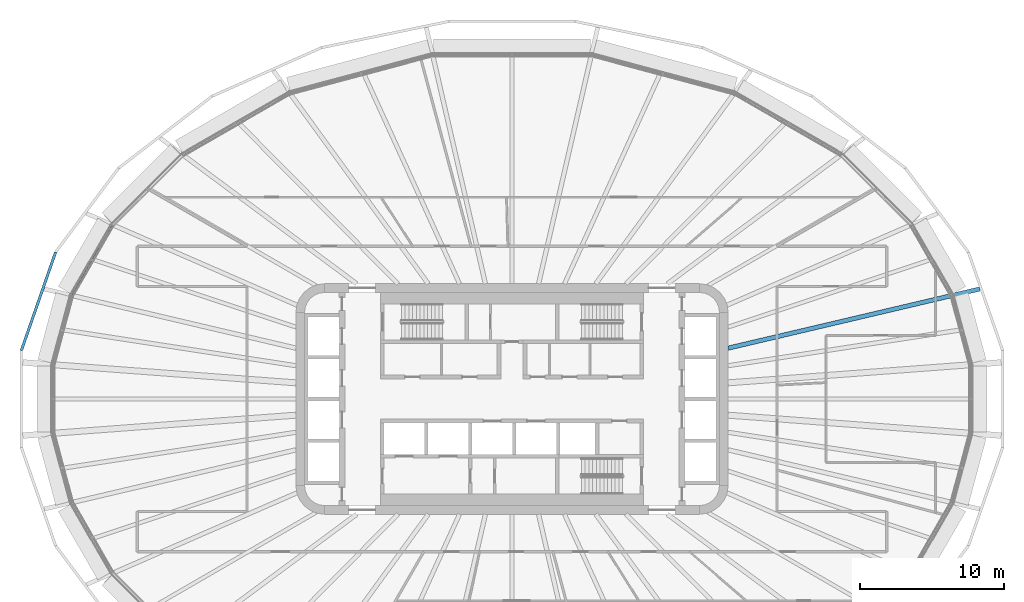
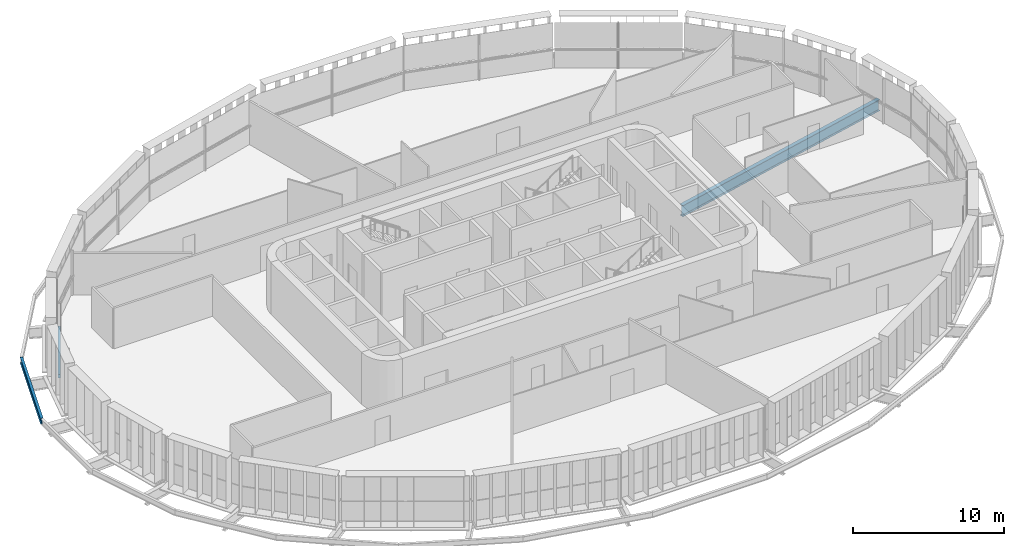
# One storey, part 6 of 25: 3 beams.
"""IFC4 building model written with IfcOpenShell, lengths in metres."""

import ifcopenshell
import ifcopenshell.guid

model = None  # the IFC model being written
_history = None  # IfcOwnerHistory: only IFC2X3 demands one
_inside = {}  # id of a spatial element -> (the spatial element, [elements in it])
_under = {}  # id of a project, library or spatial element -> (it, [spatial elements below it])
_declared = {}  # id of a project -> (the project, [libraries it declares])
_typed = {}  # id of a type object -> (the type object, [elements of that type])
_made_of = {}  # id of a material, layer set ... -> (it, [elements and type objects made of it])


def new_model(schema):
    """Start an empty IFC model of exactly this schema.

    Asked for "IFC4X3", IfcOpenShell would pick the latest addendum, in which some entities
    have other attributes; the version numbers below select the first issue.
    IFC2X3 requires an IfcOwnerHistory on every rooted entity: one is made here for all.
    """
    global model, _history
    if schema == "IFC4X3":
        model = ifcopenshell.file(schema_version=(4, 3, 0, 0))
    else:
        model = ifcopenshell.file(schema=schema)
    _inside.clear()
    _under.clear()
    _declared.clear()
    _typed.clear()
    _made_of.clear()
    _history = None
    if model.schema == "IFC2X3":
        org = make("IfcOrganization", Name="unknown")
        user = make(
            "IfcPersonAndOrganization",
            ThePerson=make("IfcPerson", FamilyName="unknown"),
            TheOrganization=org,
        )
        app = make(
            "IfcApplication",
            ApplicationDeveloper=org,
            Version="unknown",
            ApplicationFullName="unknown",
            ApplicationIdentifier="unknown",
        )
        _history = make(
            "IfcOwnerHistory",
            OwningUser=user,
            OwningApplication=app,
            ChangeAction="ADDED",
            CreationDate=0,
        )
    return model


def make(cls, **values):
    """One entity of the class cls with the attributes given. An attribute that is None is left unset."""
    return model.create_entity(
        cls, **{name: value for name, value in values.items() if value is not None}
    )


def rooted(cls, **values):
    """An entity with a GlobalId (a new one), such as an element, a storey or a relation."""
    return make(cls, GlobalId=ifcopenshell.guid.new(), OwnerHistory=_history, **values)


def si_unit(unit_type, name, prefix=None):
    """IfcSIUnit, for example si_unit("LENGTHUNIT", "METRE", prefix="MILLI")."""
    return make("IfcSIUnit", UnitType=unit_type, Prefix=prefix, Name=name)


def assignment(units):
    """IfcUnitAssignment: the units of a project."""
    return None if units is None else make("IfcUnitAssignment", Units=units)


def point(xyz):
    """IfcCartesianPoint."""
    return None if xyz is None else make("IfcCartesianPoint", Coordinates=xyz)


def direction(xyz):
    """IfcDirection."""
    return None if xyz is None else make("IfcDirection", DirectionRatios=xyz)


def frame(location, z_axis=None, x_axis=None):
    """IfcAxis2Placement3D, a coordinate frame: its origin and axes. An axis left out is left unset."""
    return make(
        "IfcAxis2Placement3D",
        Location=point(location),
        Axis=direction(z_axis),
        RefDirection=direction(x_axis),
    )


def frame_2d(location, x_axis=None):
    """IfcAxis2Placement2D, a coordinate frame in the plane: its origin and x axis."""
    return make(
        "IfcAxis2Placement2D", Location=point(location), RefDirection=direction(x_axis)
    )


def origin():
    """The frame at (0, 0, 0) with its axes left unset."""
    return frame((0.0, 0.0, 0.0))


def origin_2d():
    """The frame at (0, 0) in the plane with its x axis left unset."""
    return frame_2d((0.0, 0.0))


def place(relative_to, where):
    """IfcLocalPlacement: puts the frame where relative to a parent placement (None: the world)."""
    return make(
        "IfcLocalPlacement", PlacementRelTo=relative_to, RelativePlacement=where
    )


def context(
    kind, dimensions, precision=None, world=None, true_north=None, identifier=None
):
    """IfcGeometricRepresentationContext, for example the 3D "Model" context."""
    return make(
        "IfcGeometricRepresentationContext",
        ContextIdentifier=identifier,
        ContextType=kind,
        CoordinateSpaceDimension=dimensions,
        Precision=precision,
        WorldCoordinateSystem=world,
        TrueNorth=true_north,
    )


def subcontext(parent, identifier, kind, view, scale=None):
    """IfcGeometricRepresentationSubContext, for example "Body" below "Model"."""
    return make(
        "IfcGeometricRepresentationSubContext",
        ContextIdentifier=identifier,
        ContextType=kind,
        ParentContext=parent,
        TargetScale=scale,
        TargetView=view,
    )


def project(units=None, contexts=None):
    """IfcProject with its units and contexts."""
    return rooted(
        "IfcProject",
        Name="project",
        RepresentationContexts=contexts,
        UnitsInContext=assignment(units),
    )


def spatial(cls, under=None, at=None, **own):
    """A site, building, storey or space (cls), placed at a placement, below another one or the project."""
    s = rooted(cls, ObjectPlacement=at, **own)
    if under is not None:
        _under.setdefault(under.id(), (under, []))[1].append(s)
    return s


def profile(cls, at=None, kind="AREA", **sizes):
    """A parametric profile (cls). Its sizes go by their IFC names, for example OverallWidth=200.0."""
    return make(cls, ProfileType=kind, Position=at, **sizes)


def i_section(**sizes):
    """IfcIShapeProfileDef."""
    return profile("IfcIShapeProfileDef", **sizes)


def extrude(swept, where, along, depth):
    """IfcExtrudedAreaSolid: the profile swept, set in the frame where, extruded along a direction by depth."""
    return make(
        "IfcExtrudedAreaSolid",
        SweptArea=swept,
        Position=where,
        ExtrudedDirection=direction(along),
        Depth=depth,
    )


def shape(context_of_items, identifier, shape_type, items):
    """IfcShapeRepresentation: the items that make up one representation, for example the "Body"."""
    return make(
        "IfcShapeRepresentation",
        ContextOfItems=context_of_items,
        RepresentationIdentifier=identifier,
        RepresentationType=shape_type,
        Items=items,
    )


def material(Name=None, Category=None):
    """IfcMaterial."""
    return make("IfcMaterial", Name=Name, Category=Category)


def material_profile(
    of_material, cross_section, Name=None, Category=None, Priority=None
):
    """IfcMaterialProfile: a cross section and its material."""
    return make(
        "IfcMaterialProfile",
        Name=Name,
        Material=of_material,
        Profile=cross_section,
        Priority=Priority,
        Category=Category,
    )


def profile_set(profiles, Name=None, composite=None):
    """IfcMaterialProfileSet."""
    return make(
        "IfcMaterialProfileSet",
        Name=Name,
        MaterialProfiles=profiles,
        CompositeProfile=composite,
    )


def made_of(thing, what):
    """Note that an element or type object is made of a material, layer set ...; save() writes the relation."""
    if what is not None:
        _made_of.setdefault(what.id(), (what, []))[1].append(thing)
    return thing


def type_object(cls, material=None, **own):
    """A type object (cls), such as IfcWallType, which elements share."""
    return made_of(rooted(cls, **own), material)


def element(
    cls,
    number,
    at=None,
    inside=None,
    cuts=None,
    type_object=None,
    material=None,
    context=None,
    identifier="Body",
    shape_type=None,
    held_by="IfcProductDefinitionShape",
    body=None,
    shapes=None,
    **own,
):
    """One element of the class cls, such as IfcWall. Its Tag is "e" and its number.

    at: its placement. inside: the storey or other place that contains it. cuts: it is an
    opening in that element (IfcRelVoidsElement). A single representation is given by context,
    identifier, shape_type and body (its items); several are given by shapes. held_by: the class
    of the entity that holds the representations. save() writes the other relations.
    """
    e = rooted(cls, Tag="e%d" % number, ObjectPlacement=at, **own)
    if body is not None:
        shapes = [shape(context, identifier, shape_type, body)]
    if shapes is not None:
        e.Representation = make(held_by, Representations=shapes)
    if inside is not None:
        _inside.setdefault(inside.id(), (inside, []))[1].append(e)
    if cuts is not None:
        rooted(
            "IfcRelVoidsElement", RelatingBuildingElement=cuts, RelatedOpeningElement=e
        )
    if type_object is not None:
        _typed.setdefault(type_object.id(), (type_object, []))[1].append(e)
    return made_of(e, material)


def aggregate(whole, parts):
    """IfcRelAggregates: a whole, such as a stair, and the parts it consists of."""
    return rooted("IfcRelAggregates", RelatingObject=whole, RelatedObjects=parts)


def save(model, path):
    """Write the relations noted so far, then the file.

    IfcRelAggregates (storeys below a building ...), IfcRelContainedInSpatialStructure (elements
    in a storey), IfcRelDefinesByType, IfcRelAssociatesMaterial and IfcRelDeclares: one each for
    every whole, place, type object, material and project.
    """
    for whole, parts in _under.values():
        aggregate(whole, parts)
    for where, things in _inside.values():
        rooted(
            "IfcRelContainedInSpatialStructure",
            RelatedElements=things,
            RelatingStructure=where,
        )
    for kind, things in _typed.values():
        rooted("IfcRelDefinesByType", RelatedObjects=things, RelatingType=kind)
    for what, things in _made_of.values():
        rooted("IfcRelAssociatesMaterial", RelatedObjects=things, RelatingMaterial=what)
    for by, libraries in _declared.values():
        rooted("IfcRelDeclares", RelatingContext=by, RelatedDefinitions=libraries)
    model.write(path)


model = new_model("IFC4")

# Units and contexts
model_context = context("Model", 3, precision=1e-05, world=origin(), true_north=direction((0.0, 1.0)))
body_context = subcontext(model_context, "Body", "Model", "MODEL_VIEW")
ifc_project = project(units=[si_unit("LENGTHUNIT", "METRE"), si_unit("AREAUNIT", "SQUARE_METRE"), si_unit("VOLUMEUNIT", "CUBIC_METRE"), si_unit("PLANEANGLEUNIT", "RADIAN"), si_unit("MASSUNIT", "GRAM", prefix="KILO")], contexts=[model_context])

# Site, building, storey
site_placement = place(None, origin())
site = spatial("IfcSite", under=ifc_project, at=site_placement, CompositionType="ELEMENT")
building_placement = place(site_placement, origin())
building = spatial("IfcBuilding", under=site, at=building_placement, Name="Sahrelin Media Tower", CompositionType="ELEMENT")
storey_placement = place(building_placement, frame((0.0, 0.0, 106.199951171875)))
storey = spatial("IfcBuildingStorey", under=building, at=storey_placement, Name="L20", CompositionType="ELEMENT", Elevation=106.199951171875)

# Beams
ifc_material = material(Name="Steel S355", Category="steel")
ifc_material_profile_1 = material_profile(ifc_material, i_section(OverallWidth=0.1650390625, OverallDepth=0.303466796875, WebThickness=0.006103515625, FlangeThickness=0.01025390625, FilletRadius=0.0087890625, at=origin_2d()), Name="UB 305x165x40")
ifc_profile_set_1 = profile_set([ifc_material_profile_1], Name="Steel S355")
beam_type_1 = type_object("IfcBeamType", Name="Edge beam EB2", PredefinedType="BEAM", material=ifc_profile_set_1)
beam_1_placement = place(storey_placement, frame((-30.5048828125, 7.1650390625, -0.3017578125), z_axis=(0.500017404508, 0.866015355054, 0.0), x_axis=(-0.866015355054, 0.500017404508, 0.0)))
element("IfcBeam", 1, at=beam_1_placement, inside=storey, type_object=beam_type_1, Name="Edge beam L20-15", PredefinedType="BEAM", context=body_context, shape_type="SweptSolid", body=[
    extrude(i_section(OverallWidth=0.1650390625, OverallDepth=0.303466796875, WebThickness=0.006103515625, FlangeThickness=0.01025390625, FilletRadius=0.0087890625, at=origin_2d()), origin(), (0.0, 0.0, 1.0), 5.612548828125),
])
ifc_material_profile_2 = material_profile(ifc_material, i_section(OverallWidth=0.30322265625, OverallDepth=0.903076171875, WebThickness=0.01513671875, FlangeThickness=0.020263671875, FilletRadius=0.01904296875, at=origin_2d()), Name="UB 914x305x201")
ifc_profile_set_2 = profile_set([ifc_material_profile_2], Name="Steel S355")
beam_type_2 = type_object("IfcBeamType", Name="Radial primary beam PB11", PredefinedType="BEAM", material=ifc_profile_set_2)
beam_2_placement = place(storey_placement, frame((15.0, 3.528564453125, -0.6015625), z_axis=(0.973432697563, 0.228973324463, 0.0), x_axis=(-0.228973324463, 0.973432697563, 0.0)))
element("IfcBeam", 2, at=beam_2_placement, inside=storey, type_object=beam_type_2, Name="Radial beam L20-02", PredefinedType="BEAM", context=body_context, shape_type="SweptSolid", body=[
    extrude(i_section(OverallWidth=0.30322265625, OverallDepth=0.903076171875, WebThickness=0.01513671875, FlangeThickness=0.020263671875, FilletRadius=0.01904296875, at=origin_2d()), origin(), (0.0, 0.0, 1.0), 17.935302734375),
])
ifc_material_profile_3 = material_profile(ifc_material, i_section(OverallWidth=0.1904296875, OverallDepth=0.45703125, WebThickness=0.009033203125, FlangeThickness=0.014404296875, FilletRadius=0.01025390625, at=origin_2d()), Name="UB 457x191x74")
ifc_profile_set_3 = profile_set([ifc_material_profile_3], Name="Steel S355")
beam_type_3 = type_object("IfcBeamType", Name="Tie chord TC5", PredefinedType="BEAM", material=ifc_profile_set_3)
beam_3_placement = place(storey_placement, frame((-31.671142578125, 10.18701171875, -0.37841796875), z_axis=(-0.32878546378, -0.944404637222, 0.0), x_axis=(0.944404637222, -0.32878546378, 0.0)))
element("IfcBeam", 3, at=beam_3_placement, inside=storey, type_object=beam_type_3, Name="Tie chord L20-11", PredefinedType="BEAM", context=body_context, shape_type="SweptSolid", body=[
    extrude(i_section(OverallWidth=0.1904296875, OverallDepth=0.45703125, WebThickness=0.009033203125, FlangeThickness=0.014404296875, FilletRadius=0.01025390625, at=origin_2d()), origin(), (0.0, 0.0, 1.0), 7.22216796875),
])

save(model, "model.ifc")
